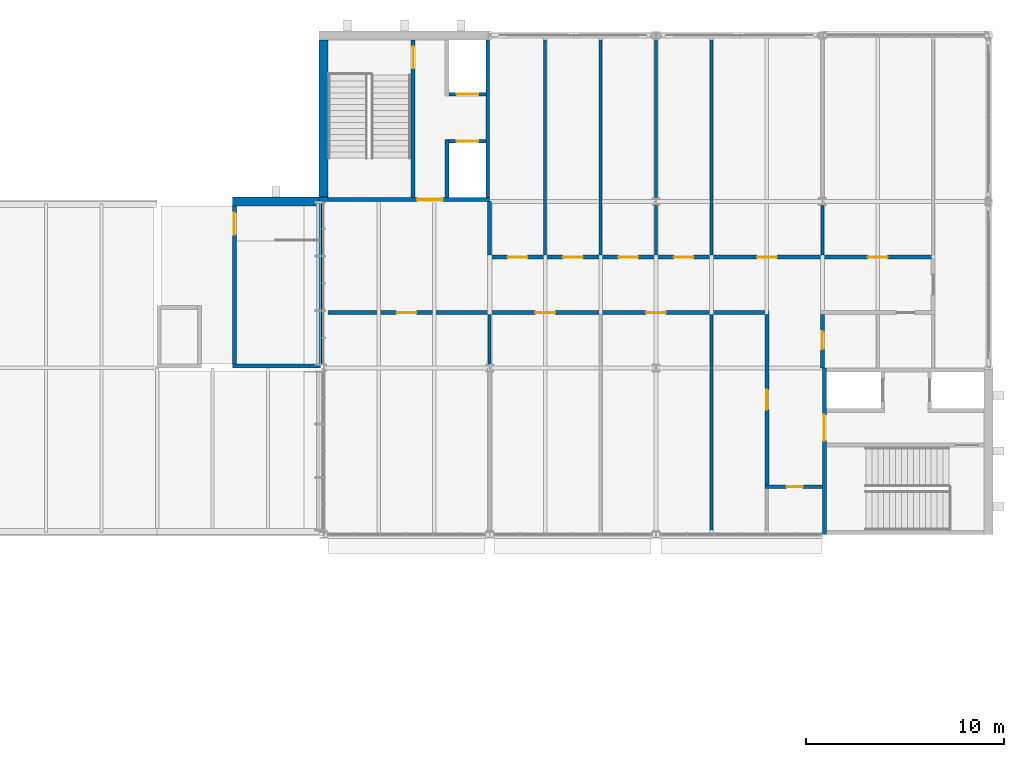
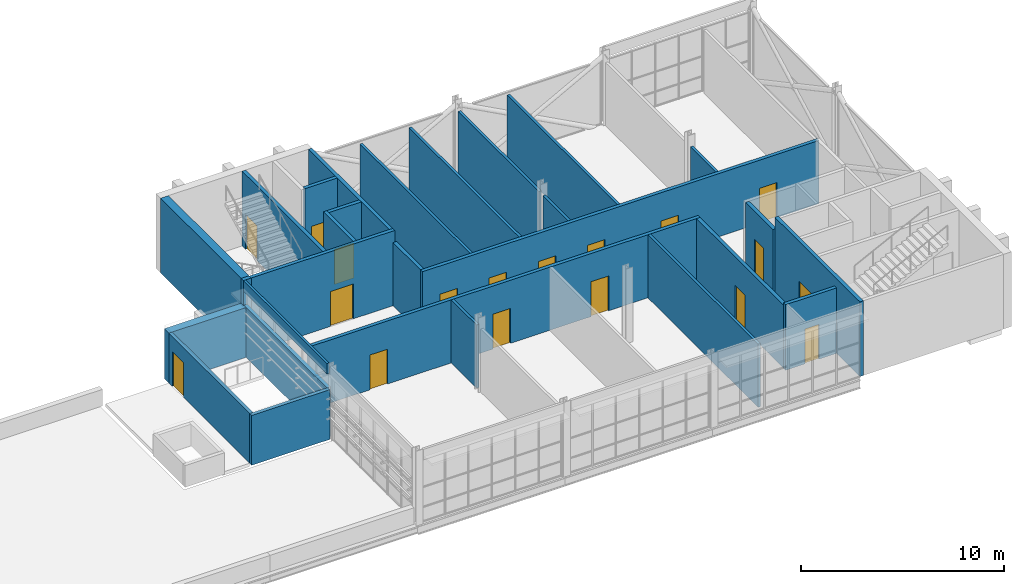
# One storey, part 23 of 29: 28 walls, 18 doors, 18 openings.
"""IFC4 building model written with IfcOpenShell, lengths in metres."""

import ifcopenshell
import ifcopenshell.guid

model = None  # the IFC model being written
_history = None  # IfcOwnerHistory: only IFC2X3 demands one
_inside = {}  # id of a spatial element -> (the spatial element, [elements in it])
_under = {}  # id of a project, library or spatial element -> (it, [spatial elements below it])
_declared = {}  # id of a project -> (the project, [libraries it declares])
_typed = {}  # id of a type object -> (the type object, [elements of that type])
_made_of = {}  # id of a material, layer set ... -> (it, [elements and type objects made of it])


def new_model(schema):
    """Start an empty IFC model of exactly this schema.

    Asked for "IFC4X3", IfcOpenShell would pick the latest addendum, in which some entities
    have other attributes; the version numbers below select the first issue.
    IFC2X3 requires an IfcOwnerHistory on every rooted entity: one is made here for all.
    """
    global model, _history
    if schema == "IFC4X3":
        model = ifcopenshell.file(schema_version=(4, 3, 0, 0))
    else:
        model = ifcopenshell.file(schema=schema)
    _inside.clear()
    _under.clear()
    _declared.clear()
    _typed.clear()
    _made_of.clear()
    _history = None
    if model.schema == "IFC2X3":
        org = make("IfcOrganization", Name="unknown")
        user = make(
            "IfcPersonAndOrganization",
            ThePerson=make("IfcPerson", FamilyName="unknown"),
            TheOrganization=org,
        )
        app = make(
            "IfcApplication",
            ApplicationDeveloper=org,
            Version="unknown",
            ApplicationFullName="unknown",
            ApplicationIdentifier="unknown",
        )
        _history = make(
            "IfcOwnerHistory",
            OwningUser=user,
            OwningApplication=app,
            ChangeAction="ADDED",
            CreationDate=0,
        )
    return model


def make(cls, **values):
    """One entity of the class cls with the attributes given. An attribute that is None is left unset."""
    return model.create_entity(
        cls, **{name: value for name, value in values.items() if value is not None}
    )


def rooted(cls, **values):
    """An entity with a GlobalId (a new one), such as an element, a storey or a relation."""
    return make(cls, GlobalId=ifcopenshell.guid.new(), OwnerHistory=_history, **values)


def si_unit(unit_type, name, prefix=None):
    """IfcSIUnit, for example si_unit("LENGTHUNIT", "METRE", prefix="MILLI")."""
    return make("IfcSIUnit", UnitType=unit_type, Prefix=prefix, Name=name)


def assignment(units):
    """IfcUnitAssignment: the units of a project."""
    return None if units is None else make("IfcUnitAssignment", Units=units)


def point(xyz):
    """IfcCartesianPoint."""
    return None if xyz is None else make("IfcCartesianPoint", Coordinates=xyz)


def direction(xyz):
    """IfcDirection."""
    return None if xyz is None else make("IfcDirection", DirectionRatios=xyz)


def frame(location, z_axis=None, x_axis=None):
    """IfcAxis2Placement3D, a coordinate frame: its origin and axes. An axis left out is left unset."""
    return make(
        "IfcAxis2Placement3D",
        Location=point(location),
        Axis=direction(z_axis),
        RefDirection=direction(x_axis),
    )


def frame_2d(location, x_axis=None):
    """IfcAxis2Placement2D, a coordinate frame in the plane: its origin and x axis."""
    return make(
        "IfcAxis2Placement2D", Location=point(location), RefDirection=direction(x_axis)
    )


def origin():
    """The frame at (0, 0, 0) with its axes left unset."""
    return frame((0.0, 0.0, 0.0))


def place(relative_to, where):
    """IfcLocalPlacement: puts the frame where relative to a parent placement (None: the world)."""
    return make(
        "IfcLocalPlacement", PlacementRelTo=relative_to, RelativePlacement=where
    )


def context(
    kind, dimensions, precision=None, world=None, true_north=None, identifier=None
):
    """IfcGeometricRepresentationContext, for example the 3D "Model" context."""
    return make(
        "IfcGeometricRepresentationContext",
        ContextIdentifier=identifier,
        ContextType=kind,
        CoordinateSpaceDimension=dimensions,
        Precision=precision,
        WorldCoordinateSystem=world,
        TrueNorth=true_north,
    )


def subcontext(parent, identifier, kind, view, scale=None):
    """IfcGeometricRepresentationSubContext, for example "Body" below "Model"."""
    return make(
        "IfcGeometricRepresentationSubContext",
        ContextIdentifier=identifier,
        ContextType=kind,
        ParentContext=parent,
        TargetScale=scale,
        TargetView=view,
    )


def project(units=None, contexts=None):
    """IfcProject with its units and contexts."""
    return rooted(
        "IfcProject",
        Name="project",
        RepresentationContexts=contexts,
        UnitsInContext=assignment(units),
    )


def spatial(cls, under=None, at=None, **own):
    """A site, building, storey or space (cls), placed at a placement, below another one or the project."""
    s = rooted(cls, ObjectPlacement=at, **own)
    if under is not None:
        _under.setdefault(under.id(), (under, []))[1].append(s)
    return s


def profile(cls, at=None, kind="AREA", **sizes):
    """A parametric profile (cls). Its sizes go by their IFC names, for example OverallWidth=200.0."""
    return make(cls, ProfileType=kind, Position=at, **sizes)


def rectangle(**sizes):
    """IfcRectangleProfileDef."""
    return profile("IfcRectangleProfileDef", **sizes)


def extrude(swept, where, along, depth):
    """IfcExtrudedAreaSolid: the profile swept, set in the frame where, extruded along a direction by depth."""
    return make(
        "IfcExtrudedAreaSolid",
        SweptArea=swept,
        Position=where,
        ExtrudedDirection=direction(along),
        Depth=depth,
    )


def shape(context_of_items, identifier, shape_type, items):
    """IfcShapeRepresentation: the items that make up one representation, for example the "Body"."""
    return make(
        "IfcShapeRepresentation",
        ContextOfItems=context_of_items,
        RepresentationIdentifier=identifier,
        RepresentationType=shape_type,
        Items=items,
    )


def material(Name=None, Category=None):
    """IfcMaterial."""
    return make("IfcMaterial", Name=Name, Category=Category)


def layer(
    of_material, thickness, ventilated=None, Name=None, Category=None, Priority=None
):
    """IfcMaterialLayer: one layer of a wall or slab, of a material (None: an air gap)."""
    return make(
        "IfcMaterialLayer",
        Material=of_material,
        LayerThickness=thickness,
        IsVentilated=ventilated,
        Name=Name,
        Category=Category,
        Priority=Priority,
    )


def layer_set(layers, Name=None):
    """IfcMaterialLayerSet."""
    return make("IfcMaterialLayerSet", MaterialLayers=layers, LayerSetName=Name)


def made_of(thing, what):
    """Note that an element or type object is made of a material, layer set ...; save() writes the relation."""
    if what is not None:
        _made_of.setdefault(what.id(), (what, []))[1].append(thing)
    return thing


def type_object(cls, material=None, **own):
    """A type object (cls), such as IfcWallType, which elements share."""
    return made_of(rooted(cls, **own), material)


def element(
    cls,
    number,
    at=None,
    inside=None,
    cuts=None,
    type_object=None,
    material=None,
    context=None,
    identifier="Body",
    shape_type=None,
    held_by="IfcProductDefinitionShape",
    body=None,
    shapes=None,
    **own,
):
    """One element of the class cls, such as IfcWall. Its Tag is "e" and its number.

    at: its placement. inside: the storey or other place that contains it. cuts: it is an
    opening in that element (IfcRelVoidsElement). A single representation is given by context,
    identifier, shape_type and body (its items); several are given by shapes. held_by: the class
    of the entity that holds the representations. save() writes the other relations.
    """
    e = rooted(cls, Tag="e%d" % number, ObjectPlacement=at, **own)
    if body is not None:
        shapes = [shape(context, identifier, shape_type, body)]
    if shapes is not None:
        e.Representation = make(held_by, Representations=shapes)
    if inside is not None:
        _inside.setdefault(inside.id(), (inside, []))[1].append(e)
    if cuts is not None:
        rooted(
            "IfcRelVoidsElement", RelatingBuildingElement=cuts, RelatedOpeningElement=e
        )
    if type_object is not None:
        _typed.setdefault(type_object.id(), (type_object, []))[1].append(e)
    return made_of(e, material)


def fill(opening, filler):
    """IfcRelFillsElement: the door or window that sits in an opening."""
    return rooted(
        "IfcRelFillsElement",
        RelatingOpeningElement=opening,
        RelatedBuildingElement=filler,
    )


def aggregate(whole, parts):
    """IfcRelAggregates: a whole, such as a stair, and the parts it consists of."""
    return rooted("IfcRelAggregates", RelatingObject=whole, RelatedObjects=parts)


def save(model, path):
    """Write the relations noted so far, then the file.

    IfcRelAggregates (storeys below a building ...), IfcRelContainedInSpatialStructure (elements
    in a storey), IfcRelDefinesByType, IfcRelAssociatesMaterial and IfcRelDeclares: one each for
    every whole, place, type object, material and project.
    """
    for whole, parts in _under.values():
        aggregate(whole, parts)
    for where, things in _inside.values():
        rooted(
            "IfcRelContainedInSpatialStructure",
            RelatedElements=things,
            RelatingStructure=where,
        )
    for kind, things in _typed.values():
        rooted("IfcRelDefinesByType", RelatedObjects=things, RelatingType=kind)
    for what, things in _made_of.values():
        rooted("IfcRelAssociatesMaterial", RelatedObjects=things, RelatingMaterial=what)
    for by, libraries in _declared.values():
        rooted("IfcRelDeclares", RelatingContext=by, RelatedDefinitions=libraries)
    model.write(path)


model = new_model("IFC4")

# Units and contexts
model_context = context("Model", 3, precision=1e-05, world=origin(), true_north=direction((0.0, 1.0)))
body_context = subcontext(model_context, "Body", "Model", "MODEL_VIEW")
ifc_project = project(units=[si_unit("LENGTHUNIT", "METRE"), si_unit("AREAUNIT", "SQUARE_METRE"), si_unit("VOLUMEUNIT", "CUBIC_METRE"), si_unit("PLANEANGLEUNIT", "RADIAN"), si_unit("MASSUNIT", "GRAM", prefix="KILO")], contexts=[model_context])

# Site, building, storey
site_placement = place(None, origin())
site = spatial("IfcSite", under=ifc_project, at=site_placement, CompositionType="ELEMENT")
building_placement = place(site_placement, origin())
building = spatial("IfcBuilding", under=site, at=building_placement, Name="Ardhachandra Cancer Care Centre", CompositionType="ELEMENT")
storey_placement = place(building_placement, frame((0.0, 0.0, 13.5)))
storey = spatial("IfcBuildingStorey", under=building, at=storey_placement, Name="L03", CompositionType="ELEMENT", Elevation=13.5)

# Wall, opening, door
ifc_material_1 = material(Name="Gypsum board corridor partition on steel studs", Category="steel")
ifc_layer_1 = layer(ifc_material_1, 0.199951171875)
ifc_layer_set_1 = layer_set([ifc_layer_1], Name="Gypsum board corridor partition on steel studs")
wall_type_1 = type_object("IfcWallType", Name="CORRIDOR WALL 200", PredefinedType="PARTITIONING", material=ifc_layer_set_1)
wall_1_placement = place(storey_placement, frame((133.89990234375, 82.199951171875, 0.0), z_axis=(0.0, 0.0, 1.0), x_axis=(1.0, 0.0, 0.0)))
wall_1 = element("IfcWall", 1, at=wall_1_placement, inside=storey, type_object=wall_type_1, Name="R/wall/L03/h0082200_0133900", PredefinedType="PARTITIONING", context=body_context, shape_type="SweptSolid", body=[
    extrude(rectangle(XDim=2.900146484375, YDim=0.199951171875, at=frame_2d((1.4501953125, 0.0))), origin(), (0.0, 0.0, 1.0), 3.949951171875),
])
opening_1_placement = place(wall_1_placement, frame((1.10009765625, 0.0, 0.0)))
opening_1 = element("IfcOpeningElement", 2, at=opening_1_placement, cuts=wall_1, Name="Opening L03-0001", PredefinedType="OPENING", context=body_context, shape_type="SweptSolid", body=[
    extrude(rectangle(XDim=0.800048828125, YDim=2.10009765625, at=frame_2d((0.39990234375, 1.050048828125))), frame((0.0, 0.10986328125, 0.0), z_axis=(0.0, -1.0, 0.0), x_axis=(1.0, 0.0, 0.0)), (0.0, 0.0, 1.0), 0.219970703125),
])
ifc_material_2 = material(Name="Timber flush fire door", Category="wood")
door_type_1 = type_object("IfcDoorType", Name="STORE DOOR 800x2100 FD30S", OperationType="NOTDEFINED", PredefinedType="DOOR", material=ifc_material_2)
door_1_placement = place(opening_1_placement, origin())
door_1 = element("IfcDoor", 3, at=door_1_placement, inside=storey, type_object=door_type_1, Name="Door L03-0001", OperationType="SINGLE_SWING_RIGHT", OverallHeight=2.10009765625, OverallWidth=0.800048828125, PredefinedType="DOOR", context=body_context, shape_type="SweptSolid", body=[
    extrude(rectangle(XDim=0.800048828125, YDim=2.10009765625, at=frame_2d((0.39990234375, 1.050048828125))), frame((0.0, 0.02490234375, 0.0), z_axis=(0.0, -1.0, 0.0), x_axis=(1.0, 0.0, 0.0)), (0.0, 0.0, 1.0), 0.050048828125),
])
fill(opening_1, door_1)

# Wall, openings, doors
wall_2_placement = place(storey_placement, frame((111.824951171875, 91.0, 0.0), z_axis=(0.0, 0.0, 1.0), x_axis=(1.0, 0.0, 0.0)))
wall_2 = element("IfcWall", 4, at=wall_2_placement, inside=storey, type_object=wall_type_1, Name="R/wall/L03/h0091000_0111825", PredefinedType="PARTITIONING", context=body_context, shape_type="SweptSolid", body=[
    extrude(rectangle(XDim=22.275146484375, YDim=0.199951171875, at=frame_2d((11.1376953125, 0.0))), origin(), (0.0, 0.0, 1.0), 3.800048828125),
])
opening_2_placement = place(wall_2_placement, frame((3.47509765625, 0.0, 0.0)))
opening_2 = element("IfcOpeningElement", 5, at=opening_2_placement, cuts=wall_2, Name="Opening L03-0010", PredefinedType="OPENING", context=body_context, shape_type="SweptSolid", body=[
    extrude(rectangle(XDim=1.0, YDim=2.10009765625, at=frame_2d((0.5, 1.050048828125))), frame((0.0, 0.10986328125, 0.0), z_axis=(0.0, -1.0, 0.0), x_axis=(1.0, 0.0, 0.0)), (0.0, 0.0, 1.0), 0.219970703125),
])
opening_3_placement = place(wall_2_placement, frame((10.47509765625, 0.0, 0.0)))
opening_3 = element("IfcOpeningElement", 6, at=opening_3_placement, cuts=wall_2, Name="Opening L03-0011", PredefinedType="OPENING", context=body_context, shape_type="SweptSolid", body=[
    extrude(rectangle(XDim=1.0, YDim=2.10009765625, at=frame_2d((0.5, 1.050048828125))), frame((0.0, 0.10986328125, 0.0), z_axis=(0.0, -1.0, 0.0), x_axis=(1.0, 0.0, 0.0)), (0.0, 0.0, 1.0), 0.219970703125),
])
opening_4_placement = place(wall_2_placement, frame((16.074951171875, 0.0, 0.0)))
opening_4 = element("IfcOpeningElement", 7, at=opening_4_placement, cuts=wall_2, Name="Opening L03-0012", PredefinedType="OPENING", context=body_context, shape_type="SweptSolid", body=[
    extrude(rectangle(XDim=1.0, YDim=2.10009765625, at=frame_2d((0.5, 1.050048828125))), frame((0.0, 0.10986328125, 0.0), z_axis=(0.0, -1.0, 0.0), x_axis=(1.0, 0.0, 0.0)), (0.0, 0.0, 1.0), 0.219970703125),
])
ifc_material_3 = material(Name="Timber fire door with smoke seals", Category="wood")
door_type_2 = type_object("IfcDoorType", Name="FIRE DOOR SINGLE 1000x2100 FD30S", OperationType="NOTDEFINED", PredefinedType="DOOR", material=ifc_material_3)
door_2_placement = place(opening_2_placement, origin())
door_2 = element("IfcDoor", 8, at=door_2_placement, inside=storey, type_object=door_type_2, Name="Door L03-0010", OperationType="SINGLE_SWING_RIGHT", OverallHeight=2.10009765625, OverallWidth=1.0, PredefinedType="DOOR", context=body_context, shape_type="SweptSolid", body=[
    extrude(rectangle(XDim=1.0, YDim=2.10009765625, at=frame_2d((0.5, 1.050048828125))), frame((0.0, 0.02490234375, 0.0), z_axis=(0.0, -1.0, 0.0), x_axis=(1.0, 0.0, 0.0)), (0.0, 0.0, 1.0), 0.050048828125),
])
fill(opening_2, door_2)
door_3_placement = place(opening_3_placement, origin())
door_3 = element("IfcDoor", 9, at=door_3_placement, inside=storey, type_object=door_type_2, Name="Door L03-0011", OperationType="SINGLE_SWING_LEFT", OverallHeight=2.10009765625, OverallWidth=1.0, PredefinedType="DOOR", context=body_context, shape_type="SweptSolid", body=[
    extrude(rectangle(XDim=1.0, YDim=2.10009765625, at=frame_2d((0.5, 1.050048828125))), frame((0.0, 0.02490234375, 0.0), z_axis=(0.0, -1.0, 0.0), x_axis=(1.0, 0.0, 0.0)), (0.0, 0.0, 1.0), 0.050048828125),
])
fill(opening_3, door_3)
door_4_placement = place(opening_4_placement, origin())
door_4 = element("IfcDoor", 10, at=door_4_placement, inside=storey, type_object=door_type_2, Name="Door L03-0012", OperationType="SINGLE_SWING_RIGHT", OverallHeight=2.10009765625, OverallWidth=1.0, PredefinedType="DOOR", context=body_context, shape_type="SweptSolid", body=[
    extrude(rectangle(XDim=1.0, YDim=2.10009765625, at=frame_2d((0.5, 1.050048828125))), frame((0.0, 0.02490234375, 0.0), z_axis=(0.0, -1.0, 0.0), x_axis=(1.0, 0.0, 0.0)), (0.0, 0.0, 1.0), 0.050048828125),
])
fill(opening_4, door_4)

wall_3_placement = place(storey_placement, frame((119.89990234375, 93.800048828125, 0.0), z_axis=(0.0, 0.0, 1.0), x_axis=(1.0, 0.0, 0.0)))
wall_3 = element("IfcWall", 11, at=wall_3_placement, inside=storey, type_object=wall_type_1, Name="R/wall/L03/h0093800_0119900", PredefinedType="PARTITIONING", context=body_context, shape_type="SweptSolid", body=[
    extrude(rectangle(XDim=22.60009765625, YDim=0.199951171875, at=frame_2d((11.300048828125, 0.0))), origin(), (0.0, 0.0, 1.0), 3.800048828125),
])
opening_5_placement = place(wall_3_placement, frame((1.0, 0.0, 0.0)))
opening_5 = element("IfcOpeningElement", 12, at=opening_5_placement, cuts=wall_3, Name="Opening L03-0014", PredefinedType="OPENING", context=body_context, shape_type="SweptSolid", body=[
    extrude(rectangle(XDim=1.0, YDim=2.10009765625, at=frame_2d((0.5, 1.050048828125))), frame((0.0, 0.10986328125, 0.0), z_axis=(0.0, -1.0, 0.0), x_axis=(1.0, 0.0, 0.0)), (0.0, 0.0, 1.0), 0.219970703125),
])
opening_6_placement = place(wall_3_placement, frame((3.800048828125, 0.0, 0.0)))
opening_6 = element("IfcOpeningElement", 13, at=opening_6_placement, cuts=wall_3, Name="Opening L03-0015", PredefinedType="OPENING", context=body_context, shape_type="SweptSolid", body=[
    extrude(rectangle(XDim=1.0, YDim=2.10009765625, at=frame_2d((0.5, 1.050048828125))), frame((0.0, 0.10986328125, 0.0), z_axis=(0.0, -1.0, 0.0), x_axis=(1.0, 0.0, 0.0)), (0.0, 0.0, 1.0), 0.219970703125),
])
opening_7_placement = place(wall_3_placement, frame((6.60009765625, 0.0, 0.0)))
opening_7 = element("IfcOpeningElement", 14, at=opening_7_placement, cuts=wall_3, Name="Opening L03-0016", PredefinedType="OPENING", context=body_context, shape_type="SweptSolid", body=[
    extrude(rectangle(XDim=1.0, YDim=2.10009765625, at=frame_2d((0.5, 1.050048828125))), frame((0.0, 0.10986328125, 0.0), z_axis=(0.0, -1.0, 0.0), x_axis=(1.0, 0.0, 0.0)), (0.0, 0.0, 1.0), 0.219970703125),
])
opening_8_placement = place(wall_3_placement, frame((9.39990234375, 0.0, 0.0)))
opening_8 = element("IfcOpeningElement", 15, at=opening_8_placement, cuts=wall_3, Name="Opening L03-0017", PredefinedType="OPENING", context=body_context, shape_type="SweptSolid", body=[
    extrude(rectangle(XDim=1.0, YDim=2.10009765625, at=frame_2d((0.5, 1.050048828125))), frame((0.0, 0.10986328125, 0.0), z_axis=(0.0, -1.0, 0.0), x_axis=(1.0, 0.0, 0.0)), (0.0, 0.0, 1.0), 0.219970703125),
])
opening_9_placement = place(wall_3_placement, frame((13.60009765625, 0.0, 0.0)))
opening_9 = element("IfcOpeningElement", 16, at=opening_9_placement, cuts=wall_3, Name="Opening L03-0018", PredefinedType="OPENING", context=body_context, shape_type="SweptSolid", body=[
    extrude(rectangle(XDim=1.0, YDim=2.10009765625, at=frame_2d((0.5, 1.050048828125))), frame((0.0, 0.10986328125, 0.0), z_axis=(0.0, -1.0, 0.0), x_axis=(1.0, 0.0, 0.0)), (0.0, 0.0, 1.0), 0.219970703125),
])
opening_10_placement = place(wall_3_placement, frame((19.199951171875, 0.0, 0.0)))
opening_10 = element("IfcOpeningElement", 17, at=opening_10_placement, cuts=wall_3, Name="Opening L03-0019", PredefinedType="OPENING", context=body_context, shape_type="SweptSolid", body=[
    extrude(rectangle(XDim=1.0, YDim=2.10009765625, at=frame_2d((0.5, 1.050048828125))), frame((0.0, 0.10986328125, 0.0), z_axis=(0.0, -1.0, 0.0), x_axis=(1.0, 0.0, 0.0)), (0.0, 0.0, 1.0), 0.219970703125),
])
door_5_placement = place(opening_5_placement, origin())
door_5 = element("IfcDoor", 18, at=door_5_placement, inside=storey, type_object=door_type_2, Name="Door L03-0014", OperationType="SINGLE_SWING_RIGHT", OverallHeight=2.10009765625, OverallWidth=1.0, PredefinedType="DOOR", context=body_context, shape_type="SweptSolid", body=[
    extrude(rectangle(XDim=1.0, YDim=2.10009765625, at=frame_2d((0.5, 1.050048828125))), frame((0.0, 0.02490234375, 0.0), z_axis=(0.0, -1.0, 0.0), x_axis=(1.0, 0.0, 0.0)), (0.0, 0.0, 1.0), 0.050048828125),
])
fill(opening_5, door_5)
door_6_placement = place(opening_6_placement, origin())
door_6 = element("IfcDoor", 19, at=door_6_placement, inside=storey, type_object=door_type_2, Name="Door L03-0015", OperationType="SINGLE_SWING_RIGHT", OverallHeight=2.10009765625, OverallWidth=1.0, PredefinedType="DOOR", context=body_context, shape_type="SweptSolid", body=[
    extrude(rectangle(XDim=1.0, YDim=2.10009765625, at=frame_2d((0.5, 1.050048828125))), frame((0.0, 0.02490234375, 0.0), z_axis=(0.0, -1.0, 0.0), x_axis=(1.0, 0.0, 0.0)), (0.0, 0.0, 1.0), 0.050048828125),
])
fill(opening_6, door_6)
door_7_placement = place(opening_7_placement, origin())
door_7 = element("IfcDoor", 20, at=door_7_placement, inside=storey, type_object=door_type_2, Name="Door L03-0016", OperationType="SINGLE_SWING_RIGHT", OverallHeight=2.10009765625, OverallWidth=1.0, PredefinedType="DOOR", context=body_context, shape_type="SweptSolid", body=[
    extrude(rectangle(XDim=1.0, YDim=2.10009765625, at=frame_2d((0.5, 1.050048828125))), frame((0.0, 0.02490234375, 0.0), z_axis=(0.0, -1.0, 0.0), x_axis=(1.0, 0.0, 0.0)), (0.0, 0.0, 1.0), 0.050048828125),
])
fill(opening_7, door_7)
door_8_placement = place(opening_8_placement, origin())
door_8 = element("IfcDoor", 21, at=door_8_placement, inside=storey, type_object=door_type_2, Name="Door L03-0017", OperationType="SINGLE_SWING_LEFT", OverallHeight=2.10009765625, OverallWidth=1.0, PredefinedType="DOOR", context=body_context, shape_type="SweptSolid", body=[
    extrude(rectangle(XDim=1.0, YDim=2.10009765625, at=frame_2d((0.5, 1.050048828125))), frame((0.0, 0.02490234375, 0.0), z_axis=(0.0, -1.0, 0.0), x_axis=(1.0, 0.0, 0.0)), (0.0, 0.0, 1.0), 0.050048828125),
])
fill(opening_8, door_8)
door_9_placement = place(opening_9_placement, origin())
door_9 = element("IfcDoor", 22, at=door_9_placement, inside=storey, type_object=door_type_2, Name="Door L03-0018", OperationType="SINGLE_SWING_LEFT", OverallHeight=2.10009765625, OverallWidth=1.0, PredefinedType="DOOR", context=body_context, shape_type="SweptSolid", body=[
    extrude(rectangle(XDim=1.0, YDim=2.10009765625, at=frame_2d((0.5, 1.050048828125))), frame((0.0, 0.02490234375, 0.0), z_axis=(0.0, -1.0, 0.0), x_axis=(1.0, 0.0, 0.0)), (0.0, 0.0, 1.0), 0.050048828125),
])
fill(opening_9, door_9)
door_10_placement = place(opening_10_placement, origin())
door_10 = element("IfcDoor", 23, at=door_10_placement, inside=storey, type_object=door_type_2, Name="Door L03-0019", OperationType="SINGLE_SWING_LEFT", OverallHeight=2.10009765625, OverallWidth=1.0, PredefinedType="DOOR", context=body_context, shape_type="SweptSolid", body=[
    extrude(rectangle(XDim=1.0, YDim=2.10009765625, at=frame_2d((0.5, 1.050048828125))), frame((0.0, 0.02490234375, 0.0), z_axis=(0.0, -1.0, 0.0), x_axis=(1.0, 0.0, 0.0)), (0.0, 0.0, 1.0), 0.050048828125),
])
fill(opening_10, door_10)

# Wall
wall_4_placement = place(storey_placement, frame((120.0, 93.89990234375, 0.0), z_axis=(0.0, 0.0, 1.0), x_axis=(0.0, 1.0, 0.0)))
element("IfcWall", 24, at=wall_4_placement, inside=storey, type_object=wall_type_1, Name="R/wall/L03/v0120000_0093900", PredefinedType="PARTITIONING", context=body_context, shape_type="SweptSolid", body=[
    extrude(rectangle(XDim=2.7001953125, YDim=0.199951171875, at=frame_2d((1.35009765625, 0.0))), origin(), (0.0, 0.0, 1.0), 3.800048828125),
])

# Wall, opening, door
wall_5_placement = place(storey_placement, frame((134.0, 82.300048828125, 0.0), z_axis=(0.0, 0.0, 1.0), x_axis=(0.0, 1.0, 0.0)))
wall_5 = element("IfcWall", 25, at=wall_5_placement, inside=storey, type_object=wall_type_1, Name="R/wall/L03/v0134000_0082300", PredefinedType="PARTITIONING", context=body_context, shape_type="SweptSolid", body=[
    extrude(rectangle(XDim=8.599853515625, YDim=0.199951171875, at=frame_2d((4.2998046875, 0.0))), origin(), (0.0, 0.0, 1.0), 3.800048828125),
])
opening_11_placement = place(wall_5_placement, frame((3.800048828125, 0.0, 0.0)))
opening_11 = element("IfcOpeningElement", 26, at=opening_11_placement, cuts=wall_5, Name="Opening L03-0021", PredefinedType="OPENING", context=body_context, shape_type="SweptSolid", body=[
    extrude(rectangle(XDim=1.0, YDim=2.10009765625, at=frame_2d((0.5, 1.050048828125))), frame((0.0, 0.10986328125, 0.0), z_axis=(0.0, -1.0, 0.0), x_axis=(1.0, 0.0, 0.0)), (0.0, 0.0, 1.0), 0.219970703125),
])
door_11_placement = place(opening_11_placement, origin())
door_11 = element("IfcDoor", 27, at=door_11_placement, inside=storey, type_object=door_type_2, Name="Door L03-0021", OperationType="SINGLE_SWING_RIGHT", OverallHeight=2.10009765625, OverallWidth=1.0, PredefinedType="DOOR", context=body_context, shape_type="SweptSolid", body=[
    extrude(rectangle(XDim=1.0, YDim=2.10009765625, at=frame_2d((0.5, 1.050048828125))), frame((0.0, 0.02490234375, 0.0), z_axis=(0.0, -1.0, 0.0), x_axis=(1.0, 0.0, 0.0)), (0.0, 0.0, 1.0), 0.050048828125),
])
fill(opening_11, door_11)

wall_6_placement = place(storey_placement, frame((136.800048828125, 88.199951171875, 0.0), z_axis=(0.0, 0.0, 1.0), x_axis=(0.0, 1.0, 0.0)))
wall_6 = element("IfcWall", 28, at=wall_6_placement, inside=storey, type_object=wall_type_1, Name="R/wall/L03/v0136800_0088200", PredefinedType="PARTITIONING", context=body_context, shape_type="SweptSolid", body=[
    extrude(rectangle(XDim=2.699951171875, YDim=0.199951171875, at=frame_2d((1.35009765625, 0.0))), origin(), (0.0, 0.0, 1.0), 3.800048828125),
])
opening_12_placement = place(wall_6_placement, frame((0.949951171875, 0.0, 0.0)))
opening_12 = element("IfcOpeningElement", 29, at=opening_12_placement, cuts=wall_6, Name="Opening L03-0022", PredefinedType="OPENING", context=body_context, shape_type="SweptSolid", body=[
    extrude(rectangle(XDim=0.89990234375, YDim=2.10009765625, at=frame_2d((0.449951171875, 1.050048828125))), frame((0.0, 0.10986328125, 0.0), z_axis=(0.0, -1.0, 0.0), x_axis=(1.0, 0.0, 0.0)), (0.0, 0.0, 1.0), 0.219970703125),
])
ifc_material_4 = material(Name="Timber fire door with smoke seals", Category="wood")
door_type_3 = type_object("IfcDoorType", Name="FIRE DOOR WC 900x2100 FD30S", OperationType="NOTDEFINED", PredefinedType="DOOR", material=ifc_material_4)
door_12_placement = place(opening_12_placement, origin())
door_12 = element("IfcDoor", 30, at=door_12_placement, inside=storey, type_object=door_type_3, Name="Door L03-0022", OperationType="SINGLE_SWING_LEFT", OverallHeight=2.10009765625, OverallWidth=0.89990234375, PredefinedType="DOOR", context=body_context, shape_type="SweptSolid", body=[
    extrude(rectangle(XDim=0.89990234375, YDim=2.10009765625, at=frame_2d((0.449951171875, 1.050048828125))), frame((0.0, 0.02490234375, 0.0), z_axis=(0.0, -1.0, 0.0), x_axis=(1.0, 0.0, 0.0)), (0.0, 0.0, 1.0), 0.050048828125),
])
fill(opening_12, door_12)

# Walls
ifc_material_5 = material(Name="Concrete M40", Category="concrete")
ifc_layer_2 = layer(ifc_material_5, 0.449951171875)
ifc_layer_set_2 = layer_set([ifc_layer_2], Name="Concrete M40")
wall_type_2 = type_object("IfcWallType", Name="Core exterior wall RC 450", PredefinedType="SOLIDWALL", material=ifc_layer_set_2)
wall_7_placement = place(storey_placement, frame((111.39990234375, 96.60009765625, 0.0), z_axis=(0.0, 0.0, 1.0), x_axis=(-1.0, 0.0, 0.0)))
element("IfcWall", 31, at=wall_7_placement, inside=storey, type_object=wall_type_2, Name="Stair head-house wall K7 FAR", PredefinedType="SOLIDWALL", context=body_context, shape_type="SweptSolid", body=[
    extrude(rectangle(XDim=4.39990234375, YDim=0.449951171875, at=frame_2d((2.199951171875, 0.0))), origin(), (0.0, 0.0, 1.0), 3.0),
])
wall_8_placement = place(storey_placement, frame((111.60009765625, 96.824951171875, 0.0), z_axis=(0.0, 0.0, 1.0), x_axis=(0.0, 1.0, 0.0)))
element("IfcWall", 32, at=wall_8_placement, inside=storey, type_object=wall_type_2, Name="Core wall K12 UW", PredefinedType="SOLIDWALL", context=body_context, shape_type="SweptSolid", body=[
    extrude(rectangle(XDim=7.949951171875, YDim=0.449951171875, at=frame_2d((3.97509765625, 0.0))), origin(), (0.0, 0.0, 1.0), 4.5),
])
wall_9_placement = place(storey_placement, frame((111.60009765625, 96.60009765625, 0.0), z_axis=(0.0, 0.0, 1.0), x_axis=(0.0, 1.0, 0.0)))
element("IfcWall", 33, at=wall_9_placement, inside=storey, type_object=wall_type_2, Name="Core wall K12 UW corner", PredefinedType="SOLIDWALL", context=body_context, shape_type="SweptSolid", body=[
    extrude(rectangle(XDim=0.224853515625, YDim=0.449951171875, at=frame_2d((0.1123046875, 0.0))), origin(), (0.0, 0.0, 1.0), 4.5),
])
ifc_material_6 = material(Name="Concrete M40", Category="concrete")
ifc_layer_3 = layer(ifc_material_6, 0.199951171875)
ifc_layer_set_3 = layer_set([ifc_layer_3], Name="Concrete M40")
wall_type_3 = type_object("IfcWallType", Name="Core wall RC 200", PredefinedType="SOLIDWALL", material=ifc_layer_set_3)
wall_10_placement = place(storey_placement, frame((111.449951171875, 88.300048828125, 0.0), z_axis=(0.0, 0.0, 1.0), x_axis=(-1.0, 0.0, 0.0)))
element("IfcWall", 34, at=wall_10_placement, inside=storey, type_object=wall_type_3, Name="Stair head-house wall K7 ENT", PredefinedType="SOLIDWALL", context=body_context, shape_type="SweptSolid", body=[
    extrude(rectangle(XDim=4.449951171875, YDim=0.199951171875, at=frame_2d((2.22509765625, 0.0))), origin(), (0.0, 0.0, 1.0), 3.0),
])
wall_11_placement = place(storey_placement, frame((111.5, 88.39990234375, 0.0), z_axis=(0.0, 0.0, 1.0), x_axis=(0.0, 1.0, 0.0)))
element("IfcWall", 35, at=wall_11_placement, inside=storey, type_object=wall_type_3, Name="Stair head-house wall K7 UW", PredefinedType="SOLIDWALL", context=body_context, shape_type="SweptSolid", body=[
    extrude(rectangle(XDim=8.2001953125, YDim=0.199951171875, at=frame_2d((4.10009765625, 0.0))), origin(), (0.0, 0.0, 1.0), 3.0),
])

# Wall, opening, door
wall_12_placement = place(storey_placement, frame((107.10009765625, 88.39990234375, 0.0), z_axis=(0.0, 0.0, 1.0), x_axis=(0.0, 1.0, 0.0)))
wall_12 = element("IfcWall", 36, at=wall_12_placement, inside=storey, type_object=wall_type_3, Name="Stair head-house wall K7 P1", PredefinedType="SOLIDWALL", context=body_context, shape_type="SweptSolid", body=[
    extrude(rectangle(XDim=7.97509765625, YDim=0.199951171875, at=frame_2d((3.987548828125, 0.0))), origin(), (0.0, 0.0, 1.0), 3.0),
])
opening_13_placement = place(wall_12_placement, frame((6.53759765625, 0.0, 0.0)))
opening_13 = element("IfcOpeningElement", 37, at=opening_13_placement, cuts=wall_12, Name="Opening L03-K07-1", PredefinedType="OPENING", context=body_context, shape_type="SweptSolid", body=[
    extrude(rectangle(XDim=1.10009765625, YDim=2.10009765625, at=frame_2d((0.550048828125, 1.050048828125))), frame((0.0, 0.10986328125, 0.0), z_axis=(0.0, -1.0, 0.0), x_axis=(1.0, 0.0, 0.0)), (0.0, 0.0, 1.0), 0.219970703125),
])
ifc_material_7 = material(Name="Steel door set", Category="steel")
door_type_4 = type_object("IfcDoorType", Name="Stair door 1100x2100 FD60S", OperationType="NOTDEFINED", PredefinedType="DOOR", material=ifc_material_7)
door_13_placement = place(opening_13_placement, origin())
door_13 = element("IfcDoor", 38, at=door_13_placement, inside=storey, type_object=door_type_4, Name="Head-house door", OperationType="SINGLE_SWING_RIGHT", OverallHeight=2.10009765625, OverallWidth=1.10009765625, PredefinedType="DOOR", context=body_context, shape_type="SweptSolid", body=[
    extrude(rectangle(XDim=1.10009765625, YDim=2.10009765625, at=frame_2d((0.550048828125, 1.050048828125))), frame((0.0, 0.02490234375, 0.0), z_axis=(0.0, -1.0, 0.0), x_axis=(1.0, 0.0, 0.0)), (0.0, 0.0, 1.0), 0.050048828125),
])
fill(opening_13, door_13)

wall_13_placement = place(storey_placement, frame((111.824951171875, 96.699951171875, 0.0), z_axis=(0.0, 0.0, 1.0), x_axis=(1.0, 0.0, 0.0)))
wall_13 = element("IfcWall", 39, at=wall_13_placement, inside=storey, type_object=wall_type_3, Name="Core wall K12 ENT", PredefinedType="SOLIDWALL", context=body_context, shape_type="SweptSolid", body=[
    extrude(rectangle(XDim=8.175048828125, YDim=0.199951171875, at=frame_2d((4.08740234375, 0.0))), origin(), (0.0, 0.0, 1.0), 4.5),
])
opening_14_placement = place(wall_13_placement, frame((4.512451171875, 0.0, 0.0)))
opening_14 = element("IfcOpeningElement", 40, at=opening_14_placement, cuts=wall_13, Name="Opening L03-K12-1", PredefinedType="OPENING", context=body_context, shape_type="SweptSolid", body=[
    extrude(rectangle(XDim=1.300048828125, YDim=2.10009765625, at=frame_2d((0.64990234375, 1.050048828125))), frame((0.0, 0.10986328125, 0.0), z_axis=(0.0, -1.0, 0.0), x_axis=(1.0, 0.0, 0.0)), (0.0, 0.0, 1.0), 0.219970703125),
])
ifc_material_8 = material(Name="Steel door set", Category="steel")
door_type_5 = type_object("IfcDoorType", Name="Core entry double door 1300x2100 FD60", OperationType="DOUBLE_DOOR_DOUBLE_SWING", PredefinedType="DOOR", material=ifc_material_8)
door_14_placement = place(opening_14_placement, origin())
door_14 = element("IfcDoor", 41, at=door_14_placement, inside=storey, type_object=door_type_5, Name="Core entry door", OperationType="DOUBLE_DOOR_DOUBLE_SWING", OverallHeight=2.10009765625, OverallWidth=1.300048828125, PredefinedType="DOOR", context=body_context, shape_type="SweptSolid", body=[
    extrude(rectangle(XDim=1.300048828125, YDim=2.10009765625, at=frame_2d((0.64990234375, 1.050048828125))), frame((0.0, 0.02490234375, 0.0), z_axis=(0.0, -1.0, 0.0), x_axis=(1.0, 0.0, 0.0)), (0.0, 0.0, 1.0), 0.050048828125),
])
fill(opening_14, door_14)

# Wall
wall_14_placement = place(storey_placement, frame((119.89990234375, 96.800048828125, 0.0), z_axis=(0.0, 0.0, 1.0), x_axis=(0.0, 1.0, 0.0)))
element("IfcWall", 42, at=wall_14_placement, inside=storey, type_object=wall_type_3, Name="Core wall K12 UE", PredefinedType="SOLIDWALL", context=body_context, shape_type="SweptSolid", body=[
    extrude(rectangle(XDim=7.974853515625, YDim=0.199951171875, at=frame_2d((3.9873046875, 0.0))), origin(), (0.0, 0.0, 1.0), 4.5),
])

# Wall, opening, door
wall_15_placement = place(storey_placement, frame((116.125, 96.800048828125, 0.0), z_axis=(0.0, 0.0, 1.0), x_axis=(0.0, 1.0, 0.0)))
wall_15 = element("IfcWall", 43, at=wall_15_placement, inside=storey, type_object=wall_type_3, Name="Core wall K12 P1", PredefinedType="SOLIDWALL", context=body_context, shape_type="SweptSolid", body=[
    extrude(rectangle(XDim=7.974853515625, YDim=0.199951171875, at=frame_2d((3.9873046875, 0.0))), origin(), (0.0, 0.0, 1.0), 4.5),
])
opening_15_placement = place(wall_15_placement, frame((6.53759765625, 0.0, 0.0)))
opening_15 = element("IfcOpeningElement", 44, at=opening_15_placement, cuts=wall_15, Name="Opening L03-K12-2", PredefinedType="OPENING", context=body_context, shape_type="SweptSolid", body=[
    extrude(rectangle(XDim=1.10009765625, YDim=2.10009765625, at=frame_2d((0.550048828125, 1.050048828125))), frame((0.0, 0.10986328125, 0.0), z_axis=(0.0, -1.0, 0.0), x_axis=(1.0, 0.0, 0.0)), (0.0, 0.0, 1.0), 0.219970703125),
])
door_15_placement = place(opening_15_placement, origin())
door_15 = element("IfcDoor", 45, at=door_15_placement, inside=storey, type_object=door_type_4, Name="Stair door", OperationType="SINGLE_SWING_RIGHT", OverallHeight=2.10009765625, OverallWidth=1.10009765625, PredefinedType="DOOR", context=body_context, shape_type="SweptSolid", body=[
    extrude(rectangle(XDim=1.10009765625, YDim=2.10009765625, at=frame_2d((0.550048828125, 1.050048828125))), frame((0.0, 0.02490234375, 0.0), z_axis=(0.0, -1.0, 0.0), x_axis=(1.0, 0.0, 0.0)), (0.0, 0.0, 1.0), 0.050048828125),
])
fill(opening_15, door_15)

# Wall
wall_16_placement = place(storey_placement, frame((117.85009765625, 96.800048828125, 0.0), z_axis=(0.0, 0.0, 1.0), x_axis=(0.0, 1.0, 0.0)))
element("IfcWall", 46, at=wall_16_placement, inside=storey, type_object=wall_type_3, Name="Core wall K12 P2A", PredefinedType="SOLIDWALL", context=body_context, shape_type="SweptSolid", body=[
    extrude(rectangle(XDim=2.949951171875, YDim=0.199951171875, at=frame_2d((1.47509765625, 0.0))), origin(), (0.0, 0.0, 1.0), 4.5),
])

# Wall, opening, door
wall_17_placement = place(storey_placement, frame((117.949951171875, 99.64990234375, 0.0), z_axis=(0.0, 0.0, 1.0), x_axis=(1.0, 0.0, 0.0)))
wall_17 = element("IfcWall", 47, at=wall_17_placement, inside=storey, type_object=wall_type_3, Name="Core wall K12 W1", PredefinedType="SOLIDWALL", context=body_context, shape_type="SweptSolid", body=[
    extrude(rectangle(XDim=1.85009765625, YDim=0.199951171875, at=frame_2d((0.925048828125, 0.0))), origin(), (0.0, 0.0, 1.0), 4.5),
])
opening_16_placement = place(wall_17_placement, frame((0.375, 0.0, 0.0)))
opening_16 = element("IfcOpeningElement", 48, at=opening_16_placement, cuts=wall_17, Name="Opening L03-K12-3", PredefinedType="OPENING", context=body_context, shape_type="SweptSolid", body=[
    extrude(rectangle(XDim=1.10009765625, YDim=2.10009765625, at=frame_2d((0.550048828125, 1.050048828125))), frame((0.0, 0.10986328125, 0.0), z_axis=(0.0, -1.0, 0.0), x_axis=(1.0, 0.0, 0.0)), (0.0, 0.0, 1.0), 0.219970703125),
])
ifc_material_9 = material(Name="Stainless steel (grade 304)", Category="steel")
door_type_6 = type_object("IfcDoorType", Name="Lift landing door 1100x2100", OperationType="DOUBLE_DOOR_SLIDING", PredefinedType="DOOR", material=ifc_material_9)
door_16_placement = place(opening_16_placement, origin())
door_16 = element("IfcDoor", 49, at=door_16_placement, inside=storey, type_object=door_type_6, Name="Lift landing door LF-K12-1", OperationType="DOUBLE_DOOR_SLIDING", OverallHeight=2.10009765625, OverallWidth=1.10009765625, PredefinedType="DOOR", context=body_context, shape_type="SweptSolid", body=[
    extrude(rectangle(XDim=1.10009765625, YDim=2.10009765625, at=frame_2d((0.550048828125, 1.050048828125))), frame((0.0, 0.02490234375, 0.0), z_axis=(0.0, -1.0, 0.0), x_axis=(1.0, 0.0, 0.0)), (0.0, 0.0, 1.0), 0.050048828125),
])
fill(opening_16, door_16)

wall_18_placement = place(storey_placement, frame((117.949951171875, 102.02490234375, 0.0), z_axis=(0.0, 0.0, 1.0), x_axis=(1.0, 0.0, 0.0)))
wall_18 = element("IfcWall", 50, at=wall_18_placement, inside=storey, type_object=wall_type_3, Name="Core wall K12 W2", PredefinedType="SOLIDWALL", context=body_context, shape_type="SweptSolid", body=[
    extrude(rectangle(XDim=1.85009765625, YDim=0.199951171875, at=frame_2d((0.925048828125, 0.0))), origin(), (0.0, 0.0, 1.0), 4.5),
])
opening_17_placement = place(wall_18_placement, frame((0.375, 0.0, 0.0)))
opening_17 = element("IfcOpeningElement", 51, at=opening_17_placement, cuts=wall_18, Name="Opening L03-K12-4", PredefinedType="OPENING", context=body_context, shape_type="SweptSolid", body=[
    extrude(rectangle(XDim=1.10009765625, YDim=2.10009765625, at=frame_2d((0.550048828125, 1.050048828125))), frame((0.0, 0.10986328125, 0.0), z_axis=(0.0, -1.0, 0.0), x_axis=(1.0, 0.0, 0.0)), (0.0, 0.0, 1.0), 0.219970703125),
])
door_17_placement = place(opening_17_placement, origin())
door_17 = element("IfcDoor", 52, at=door_17_placement, inside=storey, type_object=door_type_6, Name="Lift landing door LF-K12-2", OperationType="DOUBLE_DOOR_SLIDING", OverallHeight=2.10009765625, OverallWidth=1.10009765625, PredefinedType="DOOR", context=body_context, shape_type="SweptSolid", body=[
    extrude(rectangle(XDim=1.10009765625, YDim=2.10009765625, at=frame_2d((0.550048828125, 1.050048828125))), frame((0.0, 0.02490234375, 0.0), z_axis=(0.0, -1.0, 0.0), x_axis=(1.0, 0.0, 0.0)), (0.0, 0.0, 1.0), 0.050048828125),
])
fill(opening_17, door_17)

wall_19_placement = place(storey_placement, frame((136.89990234375, 79.800048828125, 0.0), z_axis=(0.0, 0.0, 1.0), x_axis=(0.0, 1.0, 0.0)))
wall_19 = element("IfcWall", 53, at=wall_19_placement, inside=storey, type_object=wall_type_3, Name="Core wall K13 ENT", PredefinedType="SOLIDWALL", context=body_context, shape_type="SweptSolid", body=[
    extrude(rectangle(XDim=8.39990234375, YDim=0.199951171875, at=frame_2d((4.199951171875, 0.0))), origin(), (0.0, 0.0, 1.0), 4.5),
])
opening_18_placement = place(wall_19_placement, frame((4.72509765625, 0.0, 0.0)))
opening_18 = element("IfcOpeningElement", 54, at=opening_18_placement, cuts=wall_19, Name="Opening L03-K13-1", PredefinedType="OPENING", context=body_context, shape_type="SweptSolid", body=[
    extrude(rectangle(XDim=1.300048828125, YDim=2.10009765625, at=frame_2d((0.64990234375, 1.050048828125))), frame((0.0, 0.10986328125, 0.0), z_axis=(0.0, -1.0, 0.0), x_axis=(1.0, 0.0, 0.0)), (0.0, 0.0, 1.0), 0.219970703125),
])
door_18_placement = place(opening_18_placement, origin())
door_18 = element("IfcDoor", 55, at=door_18_placement, inside=storey, type_object=door_type_5, Name="Core entry door", OperationType="DOUBLE_DOOR_DOUBLE_SWING", OverallHeight=2.10009765625, OverallWidth=1.300048828125, PredefinedType="DOOR", context=body_context, shape_type="SweptSolid", body=[
    extrude(rectangle(XDim=1.300048828125, YDim=2.10009765625, at=frame_2d((0.64990234375, 1.050048828125))), frame((0.0, 0.02490234375, 0.0), z_axis=(0.0, -1.0, 0.0), x_axis=(1.0, 0.0, 0.0)), (0.0, 0.0, 1.0), 0.050048828125),
])
fill(opening_18, door_18)

# Walls
ifc_material_10 = material(Name="Precast Concrete M30 fascia panel with brick slip facing", Category="masonry")
ifc_layer_4 = layer(ifc_material_10, 0.1298828125)
ifc_layer_set_4 = layer_set([ifc_layer_4], Name="Precast Concrete M30 fascia panel with brick slip facing")
wall_type_4 = type_object("IfcWallType", Name="Edge beam fascia 130", PredefinedType="SOLIDWALL", material=ifc_layer_set_4)
wall_20_placement = place(storey_placement, frame((111.43994140625, 88.35009765625, 3.8701171875), z_axis=(0.0, 0.0, 1.0), x_axis=(0.0, 1.0, 0.0)))
element("IfcWall", 56, at=wall_20_placement, inside=storey, type_object=wall_type_4, Name="E/fascia/L03/w/0111600_0088200", PredefinedType="SOLIDWALL", context=body_context, shape_type="SweptSolid", body=[
    extrude(rectangle(XDim=8.25, YDim=0.1298828125, at=frame_2d((4.125, 0.0))), origin(), (0.0, 0.0, 1.0), 0.6298828125),
])
ifc_material_11 = material(Name="Gypsum board partition on steel studs", Category="steel")
ifc_layer_5 = layer(ifc_material_11, 0.14990234375)
ifc_layer_set_5 = layer_set([ifc_layer_5], Name="Gypsum board partition on steel studs")
wall_type_5 = type_object("IfcWallType", Name="PARTITION 150", PredefinedType="PARTITIONING", material=ifc_layer_set_5)
wall_21_placement = place(storey_placement, frame((120.0, 88.3974609375, 0.0), z_axis=(0.0, 0.0, 1.0), x_axis=(0.0, 1.0, 0.0)))
element("IfcWall", 57, at=wall_21_placement, inside=storey, type_object=wall_type_5, Name="R/wall/L03/v0120000_0088398", PredefinedType="PARTITIONING", context=body_context, shape_type="SweptSolid", body=[
    extrude(rectangle(XDim=2.50244140625, YDim=0.14990234375, at=frame_2d((1.251220703125, 0.0))), origin(), (0.0, 0.0, 1.0), 3.800048828125),
])
for number, where, z_axis, x_axis, name in (
    (58, (122.800048828125, 93.89990234375, 0.0), (0.0, 0.0, 1.0), (0.0, 1.0, 0.0), "R/wall/L03/v0122800_0093900"),
    (59, (125.60009765625, 93.89990234375, 0.0), (0.0, 0.0, 1.0), (0.0, 1.0, 0.0), "R/wall/L03/v0125600_0093900"),
):
    element("IfcWall", number, at=place(storey_placement, frame(where, z_axis=z_axis, x_axis=x_axis)), inside=storey, type_object=wall_type_5, Name=name, PredefinedType="PARTITIONING", context=body_context, shape_type="SweptSolid", body=[
        extrude(rectangle(XDim=10.875, YDim=0.14990234375, at=frame_2d((5.4375, 0.0))), origin(), (0.0, 0.0, 1.0), 3.800048828125),
    ])
wall_22_placement = place(storey_placement, frame((128.39990234375, 93.89990234375, 0.0), z_axis=(0.0, 0.0, 1.0), x_axis=(0.0, 1.0, 0.0)))
element("IfcWall", 60, at=wall_22_placement, inside=storey, type_object=wall_type_5, Name="R/wall/L03/v0128400_0093900", PredefinedType="PARTITIONING", context=body_context, shape_type="SweptSolid", body=[
    extrude(rectangle(XDim=2.502685546875, YDim=0.14990234375, at=frame_2d((1.25146484375, 0.0))), origin(), (0.0, 0.0, 1.0), 3.800048828125),
])
wall_23_placement = place(storey_placement, frame((128.39990234375, 96.797607421875, 0.0), z_axis=(0.0, 0.0, 1.0), x_axis=(0.0, 1.0, 0.0)))
element("IfcWall", 61, at=wall_23_placement, inside=storey, type_object=wall_type_5, Name="R/wall/L03/v0128400_0096798", PredefinedType="PARTITIONING", context=body_context, shape_type="SweptSolid", body=[
    extrude(rectangle(XDim=7.977294921875, YDim=0.14990234375, at=frame_2d((3.98876953125, 0.0))), origin(), (0.0, 0.0, 1.0), 3.800048828125),
])
for number, where, z_axis, x_axis, name in (
    (62, (131.199951171875, 80.02490234375, 0.0), (0.0, 0.0, 1.0), (0.0, 1.0, 0.0), "R/wall/L03/v0131200_0080025"),
    (63, (131.199951171875, 93.89990234375, 0.0), (0.0, 0.0, 1.0), (0.0, 1.0, 0.0), "R/wall/L03/v0131200_0093900"),
):
    element("IfcWall", number, at=place(storey_placement, frame(where, z_axis=z_axis, x_axis=x_axis)), inside=storey, type_object=wall_type_5, Name=name, PredefinedType="PARTITIONING", context=body_context, shape_type="SweptSolid", body=[
        extrude(rectangle(XDim=10.875, YDim=0.14990234375, at=frame_2d((5.4375, 0.0))), origin(), (0.0, 0.0, 1.0), 3.800048828125),
    ])
wall_24_placement = place(storey_placement, frame((136.800048828125, 93.89990234375, 0.0), z_axis=(0.0, 0.0, 1.0), x_axis=(0.0, 1.0, 0.0)))
element("IfcWall", 64, at=wall_24_placement, inside=storey, type_object=wall_type_5, Name="R/wall/L03/v0136800_0093900", PredefinedType="PARTITIONING", context=body_context, shape_type="SweptSolid", body=[
    extrude(rectangle(XDim=2.502685546875, YDim=0.14990234375, at=frame_2d((1.25146484375, 0.0))), origin(), (0.0, 0.0, 1.0), 3.800048828125),
])

save(model, "model.ifc")
